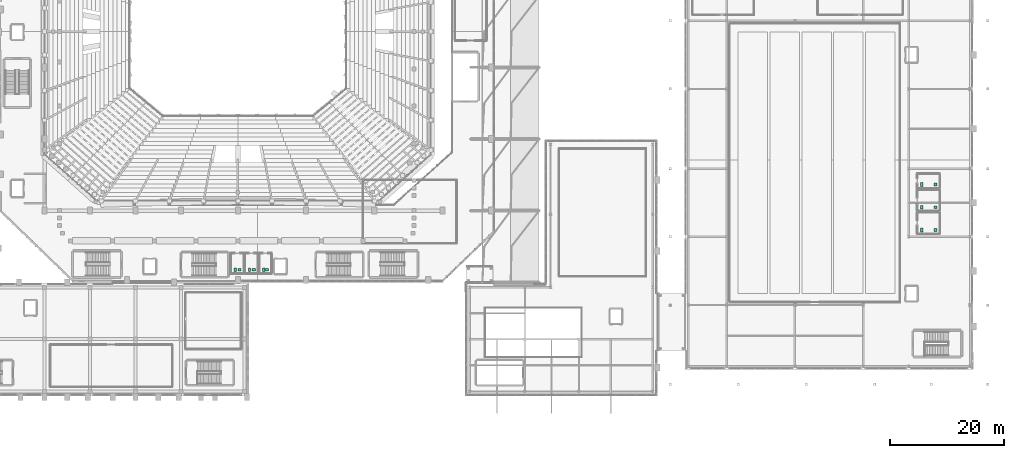
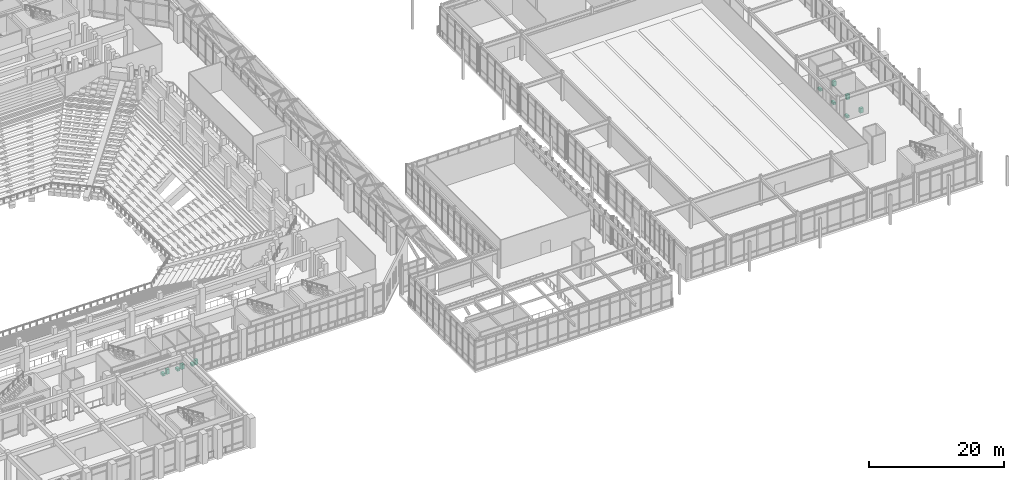
# One storey, part 159 of 159: 12 sanitary terminals.
"""IFC4 building model written with IfcOpenShell, lengths in metres."""

from ifc_helpers import new_model, si_unit, derived_unit, direction, frame, origin, origin_2d, place, context, subcontext, project, spatial, rectangle, extrude, material, type_object, element, save


model = new_model("IFC4")

# Units and contexts
model_context = context("Model", 3, precision=1e-05, world=origin(), true_north=direction((0.0, 1.0)))
body_context = subcontext(model_context, "Body", "Model", "MODEL_VIEW")
ifc_project = project(units=[si_unit("LENGTHUNIT", "METRE"), si_unit("AREAUNIT", "SQUARE_METRE"), si_unit("VOLUMEUNIT", "CUBIC_METRE"), si_unit("PLANEANGLEUNIT", "RADIAN"), si_unit("MASSUNIT", "GRAM", prefix="KILO"), derived_unit("THERMALTRANSMITTANCEUNIT", [(si_unit("MASSUNIT", "GRAM", prefix="KILO"), 1), (si_unit("TIMEUNIT", "SECOND"), -3), (si_unit("THERMODYNAMICTEMPERATUREUNIT", "KELVIN"), -1)])], contexts=[model_context])

# Site, building, storey
site_placement = place(None, origin())
site = spatial("IfcSite", under=ifc_project, at=site_placement, CompositionType="ELEMENT")
building_placement = place(site_placement, origin())
building = spatial("IfcBuilding", under=site, at=building_placement, Name="Valcora Ridge Arena", CompositionType="ELEMENT")
storey_placement = place(building_placement, frame((0.0, 0.0, 6.0)))
storey = spatial("IfcBuildingStorey", under=building, at=storey_placement, Name="L01", CompositionType="ELEMENT", Elevation=6.0)

# Sanitary terminals
ifc_material = material(Name="Vitreous china sanitary ceramic")
sanitary_terminal_type_1 = type_object("IfcSanitaryTerminalType", Name="TY-SANITARYTERMINAL-BASIN-PED-01", PredefinedType="WASHHANDBASIN", material=ifc_material)
for number, where, z_axis, x_axis, name in (
    (1, (58.300048828125, 22.199951171875, 0.0), (0.0, 0.0, 1.0), (1.0, 0.0, 0.0), "BASIN-PED-01 SAN-BS-0010"),
    (2, (60.800048828125, 22.199951171875, 0.0), (0.0, 0.0, 1.0), (1.0, 0.0, 0.0), "BASIN-PED-01 SAN-BS-0011"),
    (3, (63.14990234375, 22.199951171875, 0.0), (0.0, 0.0, 1.0), (1.0, 0.0, 0.0), "BASIN-PED-01 SAN-BS-0012"),
    (4, (180.699951171875, 29.199951171875, 0.0), (0.0, 0.0, 1.0), (1.0, 0.0, 0.0), "BASIN-PED-01 SAN-BS-0013"),
    (5, (180.699951171875, 33.199951171875, 0.0), (0.0, 0.0, 1.0), (1.0, 0.0, 0.0), "BASIN-PED-01 SAN-BS-0014"),
    (6, (180.699951171875, 37.199951171875, 0.0), (0.0, 0.0, 1.0), (1.0, 0.0, 0.0), "BASIN-PED-01 SAN-BS-0015"),
):
    element("IfcSanitaryTerminal", number, at=place(storey_placement, frame(where, z_axis=z_axis, x_axis=x_axis)), inside=storey, type_object=sanitary_terminal_type_1, Name=name, PredefinedType="WASHHANDBASIN", context=body_context, shape_type="SweptSolid", body=[
        extrude(rectangle(XDim=0.550048828125, YDim=0.449951171875, at=origin_2d()), origin(), (0.0, 0.0, 1.0), 0.85009765625),
    ])
sanitary_terminal_type_2 = type_object("IfcSanitaryTerminalType", Name="TY-SANITARYTERMINAL-WC-PAN-01", PredefinedType="TOILETPAN", material=ifc_material)
for number, where, z_axis, x_axis, name in (
    (7, (57.550048828125, 22.199951171875, 0.0), (0.0, 0.0, 1.0), (1.0, 0.0, 0.0), "WC-PAN-01 SAN-WC-0010"),
    (8, (60.050048828125, 22.199951171875, 0.0), (0.0, 0.0, 1.0), (1.0, 0.0, 0.0), "WC-PAN-01 SAN-WC-0011"),
    (9, (62.550048828125, 22.199951171875, 0.0), (0.0, 0.0, 1.0), (1.0, 0.0, 0.0), "WC-PAN-01 SAN-WC-0012"),
    (10, (178.300048828125, 29.199951171875, 0.0), (0.0, 0.0, 1.0), (1.0, 0.0, 0.0), "WC-PAN-01 SAN-WC-0013"),
    (11, (178.300048828125, 33.199951171875, 0.0), (0.0, 0.0, 1.0), (1.0, 0.0, 0.0), "WC-PAN-01 SAN-WC-0014"),
    (12, (178.300048828125, 37.199951171875, 0.0), (0.0, 0.0, 1.0), (1.0, 0.0, 0.0), "WC-PAN-01 SAN-WC-0015"),
):
    element("IfcSanitaryTerminal", number, at=place(storey_placement, frame(where, z_axis=z_axis, x_axis=x_axis)), inside=storey, type_object=sanitary_terminal_type_2, Name=name, PredefinedType="TOILETPAN", context=body_context, shape_type="SweptSolid", body=[
        extrude(rectangle(XDim=0.419921875, YDim=0.679931640625, at=origin_2d()), origin(), (0.0, 0.0, 1.0), 0.419921875),
    ])

save(model, "model.ifc")
